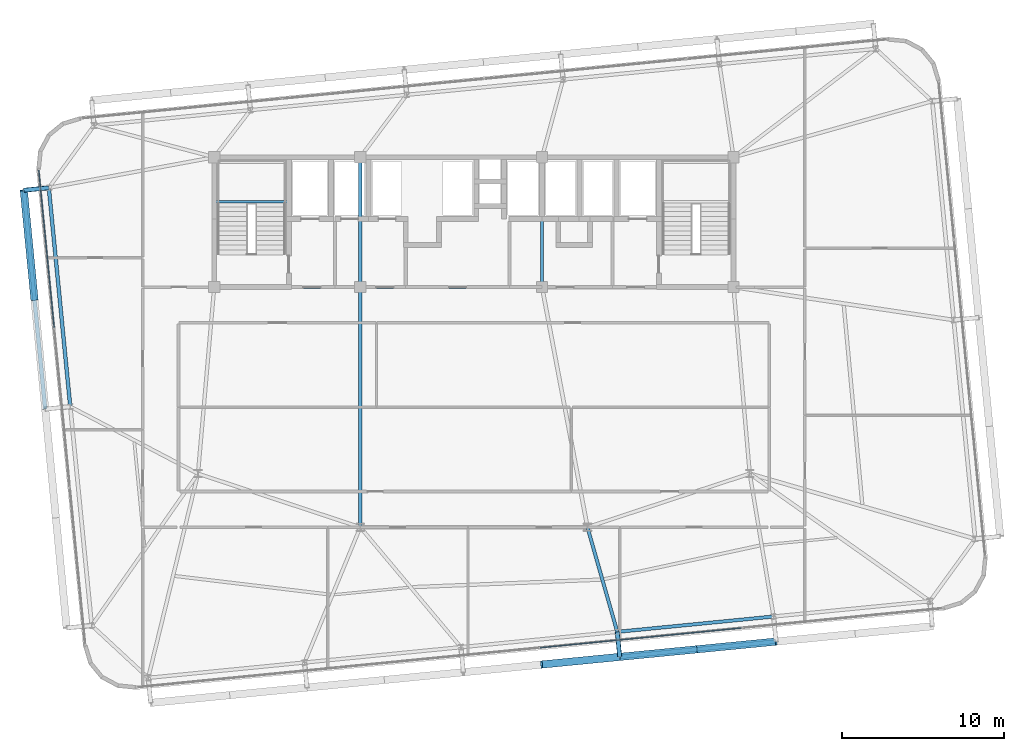
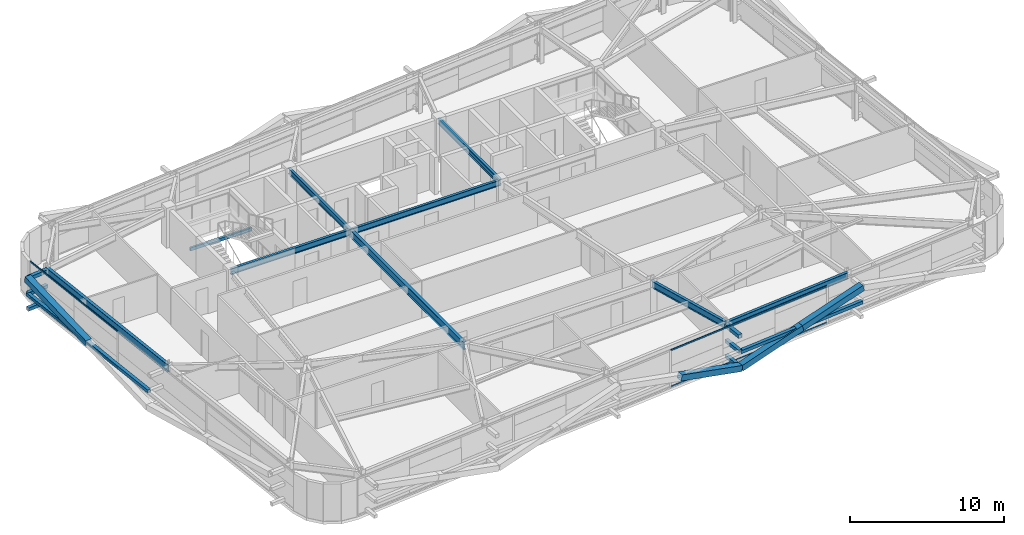
# One storey, part 14 of 47: 16 members, 9 beams, 2 elements without a shape of their own.
"""IFC4 building model written with IfcOpenShell, lengths in metres."""

from ifc_helpers import new_model, si_unit, direction, frame, origin, origin_2d, place, context, subcontext, project, spatial, hollow_rectangle, i_section, extrude, source, transform, mapped, material, layer, layer_set, material_profile, profile_set, type_object, element, aggregate, save


model = new_model("IFC4")

# Units and contexts
model_context = context("Model", 3, precision=1e-05, world=origin(), true_north=direction((0.0, 1.0)))
body_context = subcontext(model_context, "Body", "Model", "MODEL_VIEW")
ifc_project = project(units=[si_unit("LENGTHUNIT", "METRE"), si_unit("AREAUNIT", "SQUARE_METRE"), si_unit("VOLUMEUNIT", "CUBIC_METRE"), si_unit("PLANEANGLEUNIT", "RADIAN"), si_unit("MASSUNIT", "GRAM", prefix="KILO")], contexts=[model_context])

# Site, building, storey
site_placement = place(None, origin())
site = spatial("IfcSite", under=ifc_project, at=site_placement, CompositionType="ELEMENT")
building_placement = place(site_placement, origin())
building = spatial("IfcBuilding", under=site, at=building_placement, Name="Taldren Reach Tower", CompositionType="ELEMENT")
storey_placement = place(building_placement, frame((0.0, 0.0, 90.300048828125)))
storey = spatial("IfcBuildingStorey", under=building, at=storey_placement, Name="L27", CompositionType="ELEMENT", Elevation=90.300048828125)

# Beams
ifc_material_1 = material(Name="Steel Gr 350 (350PLUS)", Category="steel")
ifc_material_profile_1 = material_profile(ifc_material_1, i_section(OverallWidth=0.19091796875, OverallDepth=0.4599609375, WebThickness=0.010009765625, FlangeThickness=0.01611328125, at=origin_2d()), Name="460UB82.1")
ifc_profile_set_1 = profile_set([ifc_material_profile_1], Name="Steel Gr 350 (350PLUS)")
beam_type_1 = type_object("IfcBeamType", Name="BM-UB460A", PredefinedType="BEAM", material=ifc_profile_set_1)
shared_shape_1 = source(origin(), body_context, "Body", "SweptSolid", [
    extrude(i_section(OverallWidth=0.19091796875, OverallDepth=0.4599609375, WebThickness=0.010009765625, FlangeThickness=0.01611328125, at=origin_2d()), origin(), (0.0, 0.0, 1.0), 9.0),
])
beam_1_placement = place(storey_placement, frame((19.0, 24.0, 2.699951171875), z_axis=(1.0, 0.0, 0.0), x_axis=(0.0, 1.0, 0.0)))
element("IfcBeam", 1, at=beam_1_placement, inside=storey, type_object=beam_type_1, Name="Core-spine girder L27-SP01", PredefinedType="BEAM", context=body_context, shape_type="MappedRepresentation", body=[
    mapped(shared_shape_1, transform((0.0, 0.0, 0.0), scale=1.0)),
])
shared_shape_2 = source(origin(), body_context, "Body", "SweptSolid", [
    extrude(i_section(OverallWidth=0.19091796875, OverallDepth=0.4599609375, WebThickness=0.010009765625, FlangeThickness=0.01611328125, at=origin_2d()), origin(), (0.0, 0.0, 1.0), 11.199951171875),
])
beam_2_placement = place(storey_placement, frame((28.0, 24.0, 2.699951171875), z_axis=(1.0, 0.0, 0.0), x_axis=(0.0, 1.0, 0.0)))
element("IfcBeam", 2, at=beam_2_placement, inside=storey, type_object=beam_type_1, Name="Core-spine girder L27-SP02", PredefinedType="BEAM", context=body_context, shape_type="MappedRepresentation", body=[
    mapped(shared_shape_2, transform((0.0, 0.0, 0.0), scale=1.0)),
])
shared_shape_3 = source(origin(), body_context, "Body", "SweptSolid", [
    extrude(i_section(OverallWidth=0.19091796875, OverallDepth=0.4599609375, WebThickness=0.010009765625, FlangeThickness=0.01611328125, at=origin_2d()), origin(), (0.0, 0.0, 1.0), 8.0),
])
for number, where, z_axis, x_axis, name in (
    (3, (28.0, 24.0, 2.699951171875), (0.0, 1.0, 0.0), (-1.0, 0.0, 0.0), "Core-spine girder L27-SP07"),
    (4, (39.199951171875, 24.0, 2.699951171875), (0.0, 1.0, 0.0), (-1.0, 0.0, 0.0), "Core-spine girder L27-SP08"),
):
    element("IfcBeam", number, at=place(storey_placement, frame(where, z_axis=z_axis, x_axis=x_axis)), inside=storey, type_object=beam_type_1, Name=name, PredefinedType="BEAM", context=body_context, shape_type="MappedRepresentation", body=[
        mapped(shared_shape_3, transform((0.0, 0.0, 0.0), scale=1.0)),
    ])
ifc_material_profile_2 = material_profile(ifc_material_1, i_section(OverallWidth=0.22802734375, OverallDepth=0.60205078125, WebThickness=0.010498046875, FlangeThickness=0.014892578125, at=origin_2d()), Name="610UB101")
ifc_profile_set_2 = profile_set([ifc_material_profile_2], Name="Steel Gr 350 (350PLUS)")
beam_type_2 = type_object("IfcBeamType", Name="BM-UB610B", PredefinedType="BEAM", material=ifc_profile_set_2)
shared_shape_4 = source(origin(), body_context, "Body", "SweptSolid", [
    extrude(i_section(OverallWidth=0.22802734375, OverallDepth=0.60205078125, WebThickness=0.010498046875, FlangeThickness=0.014892578125, at=origin_2d()), origin(), (0.0, 0.0, 1.0), 14.800048828125),
])
beam_3_placement = place(storey_placement, frame((28.0, 24.0, 2.62890625), z_axis=(0.0, -1.0, 0.0), x_axis=(1.0, 0.0, 0.0)))
element("IfcBeam", 5, at=beam_3_placement, inside=storey, type_object=beam_type_2, Name="Core-spine girder L27-SP14", PredefinedType="BEAM", context=body_context, shape_type="MappedRepresentation", body=[
    mapped(shared_shape_4, transform((0.0, 0.0, 0.0), scale=1.0)),
])

# Members
ifc_material_2 = material(Name="Steel Gr 450 (C450L0)", Category="steel")
ifc_material_profile_3 = material_profile(ifc_material_2, hollow_rectangle(XDim=0.27490234375, YDim=0.27490234375, WallThickness=0.00927734375, at=origin_2d()), Name="275x275x9.3SHS")
ifc_profile_set_3 = profile_set([ifc_material_profile_3], Name="Steel Gr 450 (C450L0)")
member_type_1 = type_object("IfcMemberType", Name="MB-TIE273", PredefinedType="STRUT", material=ifc_profile_set_3)
shared_shape_5 = source(origin(), body_context, "Body", "SweptSolid", [
    extrude(hollow_rectangle(XDim=0.27490234375, YDim=0.27490234375, WallThickness=0.00927734375, at=origin_2d()), origin(), (0.0, 0.0, 1.0), 1.5498046875),
])
member_1_placement = place(storey_placement, frame((43.83544921875, 2.75390625, 2.64990234375), z_axis=(0.097663201064, -0.995219523099, 0.0), x_axis=(0.995219523099, 0.097663201064, 0.0)))
element("IfcMember", 6, at=member_1_placement, inside=storey, type_object=member_type_1, Name="Exoskeleton diaphragm tie strut B2-S4 L27", PredefinedType="STRUT", context=body_context, shape_type="MappedRepresentation", body=[
    mapped(shared_shape_5, transform((0.0, 0.0, 0.0), scale=1.0)),
])
ifc_material_3 = material(Name="Steel Gr 350 (C350L0)", Category="steel")
ifc_material_profile_4 = material_profile(ifc_material_3, hollow_rectangle(XDim=0.25, YDim=0.25, WallThickness=0.010009765625, at=origin_2d()), Name="250x250x10.0SHS")
ifc_profile_set_4 = profile_set([ifc_material_profile_4], Name="Steel Gr 350 (C350L0)")
member_type_2 = type_object("IfcMemberType", Name="MB-POST250", PredefinedType="POST", material=ifc_profile_set_4)
shared_shape_6 = source(origin(), body_context, "Body", "SweptSolid", [
    extrude(hollow_rectangle(XDim=0.25, YDim=0.25, WallThickness=0.010009765625, at=origin_2d()), origin(), (0.0, 0.0, 1.0), 1.5498046875),
])
for number, where, z_axis, x_axis, name in (
    (7, (43.83544921875, 2.75390625, 0.219970703125), (0.097663201064, -0.995219523099, 0.0), (0.995219523099, 0.097663201064, 0.0), "Exoskeleton base diaphragm tie strut B2-S4 L27"),
    (8, (43.83544921875, 2.75390625, 1.43505859375), (0.097663201064, -0.995219523099, 0.0), (0.995219523099, 0.097663201064, 0.0), "Exoskeleton mid-tier diaphragm tie B2-S4 L27"),
):
    element("IfcMember", number, at=place(storey_placement, frame(where, z_axis=z_axis, x_axis=x_axis)), inside=storey, type_object=member_type_2, Name=name, PredefinedType="POST", context=body_context, shape_type="MappedRepresentation", body=[
        mapped(shared_shape_6, transform((0.0, 0.0, 0.0), scale=1.0)),
    ])

# Beams
ifc_material_profile_5 = material_profile(ifc_material_1, i_section(OverallWidth=0.208984375, OverallDepth=0.528076171875, WebThickness=0.009521484375, FlangeThickness=0.01318359375, at=origin_2d()), Name="530UB82.0")
ifc_profile_set_5 = profile_set([ifc_material_profile_5], Name="Steel Gr 350 (350PLUS)")
beam_type_3 = type_object("IfcBeamType", Name="SP-UB530B", PredefinedType="SPANDREL", material=ifc_profile_set_5)
shared_shape_7 = source(origin(), body_context, "Body", "SweptSolid", [
    extrude(i_section(OverallWidth=0.208984375, OverallDepth=0.528076171875, WebThickness=0.009521484375, FlangeThickness=0.01318359375, at=origin_2d()), origin(), (0.0, 0.0, 1.0), 9.68017578125),
])
beam_4_placement = place(storey_placement, frame((43.83544921875, 2.75390625, 2.666015625), z_axis=(0.995227852805, 0.097578281404, 0.0), x_axis=(-0.097578281404, 0.995227852805, 0.0)))
element("IfcBeam", 9, at=beam_4_placement, inside=storey, type_object=beam_type_3, Name="Perimeter spandrel B2 S4-S5 L27", PredefinedType="SPANDREL", context=body_context, shape_type="MappedRepresentation", body=[
    mapped(shared_shape_7, transform((0.0, 0.0, 0.0), scale=1.0)),
])
shared_shape_8 = source(origin(), body_context, "Body", "SweptSolid", [
    extrude(i_section(OverallWidth=0.22802734375, OverallDepth=0.60205078125, WebThickness=0.010498046875, FlangeThickness=0.014892578125, at=origin_2d()), origin(), (0.0, 0.0, 1.0), 13.550048828125),
])
beam_5_placement = place(storey_placement, frame((8.808349609375, 30.116455078125, 2.62890625), z_axis=(0.097584021339, -0.995227290009, 0.0), x_axis=(0.995227290009, 0.097584021339, 0.0)))
element("IfcBeam", 10, at=beam_5_placement, inside=storey, type_object=beam_type_2, Name="Perimeter gable girder B2 W3-W2 L27", PredefinedType="BEAM", context=body_context, shape_type="MappedRepresentation", body=[
    mapped(shared_shape_8, transform((0.0, 0.0, 0.0), scale=1.0)),
])
ifc_material_profile_6 = material_profile(ifc_material_1, i_section(OverallWidth=0.208984375, OverallDepth=0.532958984375, WebThickness=0.01025390625, FlangeThickness=0.015625, at=origin_2d()), Name="530UB92.4")
ifc_profile_set_6 = profile_set([ifc_material_profile_6], Name="Steel Gr 350 (350PLUS)")
beam_type_4 = type_object("IfcBeamType", Name="BM-UB530A", PredefinedType="BEAM", material=ifc_profile_set_6)
shared_shape_9 = source(origin(), body_context, "Body", "SweptSolid", [
    extrude(i_section(OverallWidth=0.208984375, OverallDepth=0.532958984375, WebThickness=0.01025390625, FlangeThickness=0.015625, at=origin_2d()), origin(), (0.0, 0.0, 1.0), 6.7021484375),
])
beam_6_placement = place(storey_placement, frame((42.0, 9.199951171875, 2.663330078125), z_axis=(0.273855026091, -0.961770983491, 0.0), x_axis=(0.961770983491, 0.273855026091, 0.0)))
element("IfcBeam", 11, at=beam_6_placement, inside=storey, type_object=beam_type_4, Name="Primary floor girder B2-S4 L27", PredefinedType="BEAM", context=body_context, shape_type="MappedRepresentation", body=[
    mapped(shared_shape_9, transform((0.0, 0.0, 0.0), scale=1.0)),
])

# Members
shared_shape_10 = source(origin(), body_context, "Body", "SweptSolid", [
    extrude(hollow_rectangle(XDim=0.27490234375, YDim=0.27490234375, WallThickness=0.00927734375, at=origin_2d()), origin(), (0.0, 0.0, 1.0), 1.550048828125),
])
member_2_placement = place(storey_placement, frame((8.808349609375, 30.116455078125, 2.64990234375), z_axis=(-0.9952210252, -0.097647892962, 0.0), x_axis=(0.097647892962, -0.9952210252, 0.0)))
element("IfcMember", 12, at=member_2_placement, inside=storey, type_object=member_type_1, Name="Exoskeleton diaphragm tie strut B2-W3 L27", PredefinedType="STRUT", context=body_context, shape_type="MappedRepresentation", body=[
    mapped(shared_shape_10, transform((0.0, 0.0, 0.0), scale=1.0)),
])
ifc_material_profile_7 = material_profile(ifc_material_2, hollow_rectangle(XDim=0.4599609375, YDim=0.4599609375, WallThickness=0.01611328125, at=origin_2d()), Name="460x460x16.0SHS")
ifc_profile_set_7 = profile_set([ifc_material_profile_7], Name="Steel Gr 450 (C450L0)")
member_type_3 = type_object("IfcMemberType", Name="MB-EXO457", PredefinedType="BRACE", material=ifc_profile_set_7)
shared_shape_11 = source(origin(), body_context, "Body", "SweptSolid", [
    extrude(hollow_rectangle(XDim=0.4599609375, YDim=0.4599609375, WallThickness=0.01611328125, at=origin_2d()), origin(), (0.0, 0.0, 1.0), 4.990234375),
])
for number, where, z_axis, x_axis, name in (
    (13, (43.98681640625, 1.21142578125, 0.219970703125), (-0.965271056716, -0.094667992638, 0.243494883389), (0.097605711627, -0.995225162995, 0.0), "Exoskeleton Diagrid Brace B2-S3 L27"),
    (14, (43.98681640625, 1.21142578125, 0.219970703125), (0.965275526283, 0.094619506732, 0.243496010862), (-0.097555749586, 0.995230061706, 0.0), "Exoskeleton Diagrid Brace B2-S4 L27"),
    (15, (48.8037109375, 1.68359375, 1.43505859375), (0.965282554799, 0.094669120301, 0.243448859234), (-0.097605711627, 0.995225162995, 0.0), "Exoskeleton Diagrid Brace B2-S4 L27"),
):
    element("IfcMember", number, at=place(storey_placement, frame(where, z_axis=z_axis, x_axis=x_axis)), inside=storey, type_object=member_type_3, Name=name, PredefinedType="BRACE", context=body_context, shape_type="MappedRepresentation", body=[
        mapped(shared_shape_11, transform((0.0, 0.0, 0.0), scale=1.0)),
    ])
shared_shape_12 = source(origin(), body_context, "Body", "SweptSolid", [
    extrude(hollow_rectangle(XDim=0.25, YDim=0.25, WallThickness=0.010009765625, at=origin_2d()), origin(), (0.0, 0.0, 1.0), 9.679931640625),
])
member_3_placement = place(storey_placement, frame((43.98681640625, 1.21142578125, 1.43505859375), z_axis=(0.995227612658, 0.097580730699, 0.0), x_axis=(-0.097580730699, 0.995227612658, 0.0)))
element("IfcMember", 16, at=member_3_placement, inside=storey, type_object=member_type_2, Name="Exoskeleton mid-height ring chord B2-S4 L27", PredefinedType="POST", context=body_context, shape_type="MappedRepresentation", body=[
    mapped(shared_shape_12, transform((0.0, 0.0, 0.0), scale=1.0)),
])
shared_shape_13 = source(origin(), body_context, "Body", "SweptSolid", [
    extrude(hollow_rectangle(XDim=0.25, YDim=0.25, WallThickness=0.010009765625, at=origin_2d()), origin(), (0.0, 0.0, 1.0), 1.550048828125),
])
for number, where, z_axis, x_axis, name in (
    (17, (8.808349609375, 30.116455078125, 0.219970703125), (-0.9952210252, -0.097647892962, 0.0), (0.097647892962, -0.9952210252, 0.0), "Exoskeleton base diaphragm tie strut B2-W3 L27"),
    (18, (8.808349609375, 30.116455078125, 1.43505859375), (-0.9952210252, -0.097647892962, 0.0), (0.097647892962, -0.9952210252, 0.0), "Exoskeleton mid-tier diaphragm tie B2-W3 L27"),
):
    element("IfcMember", number, at=place(storey_placement, frame(where, z_axis=z_axis, x_axis=x_axis)), inside=storey, type_object=member_type_2, Name=name, PredefinedType="POST", context=body_context, shape_type="MappedRepresentation", body=[
        mapped(shared_shape_13, transform((0.0, 0.0, 0.0), scale=1.0)),
    ])
shared_shape_14 = source(origin(), body_context, "Body", "SweptSolid", [
    extrude(hollow_rectangle(XDim=0.4599609375, YDim=0.4599609375, WallThickness=0.01611328125, at=origin_2d()), origin(), (0.0, 0.0, 1.0), 6.883056640625),
])
member_4_placement = place(storey_placement, frame((7.9267578125, 23.222412109375, 1.43505859375), z_axis=(-0.096052059581, 0.979603316657, 0.176497432967), x_axis=(-0.995227290009, -0.097584021339, 0.0)))
element("IfcMember", 19, at=member_4_placement, inside=storey, type_object=member_type_3, Name="Exoskeleton Diagrid Brace B2-W2 L27", PredefinedType="BRACE", context=body_context, shape_type="MappedRepresentation", body=[
    mapped(shared_shape_14, transform((0.0, 0.0, 0.0), scale=1.0)),
])
shared_shape_15 = source(origin(), body_context, "Body", "SweptSolid", [
    extrude(hollow_rectangle(XDim=0.25, YDim=0.25, WallThickness=0.010009765625, at=origin_2d()), origin(), (0.0, 0.0, 1.0), 13.550048828125),
])
member_5_placement = place(storey_placement, frame((8.587890625, 16.479736328125, 1.43505859375), z_axis=(-0.097584021339, 0.995227290009, 0.0), x_axis=(-0.995227290009, -0.097584021339, 0.0)))
element("IfcMember", 20, at=member_5_placement, inside=storey, type_object=member_type_2, Name="Exoskeleton mid-height ring chord B2-W2 L27", PredefinedType="POST", context=body_context, shape_type="MappedRepresentation", body=[
    mapped(shared_shape_15, transform((0.0, 0.0, 0.0), scale=1.0)),
])

# Curtain wall, members
ifc_material_4 = material(Name="Aluminium and Low-E Glass Unitised System", Category="aluminium")
ifc_layer = layer(ifc_material_4, 0.159912109375)
ifc_layer_set = layer_set([ifc_layer], Name="Aluminium and Low-E Glass Unitised System")
curtain_wall_type = type_object("IfcCurtainWallType", Name="CW-SYS-3", PredefinedType="NOTDEFINED", material=ifc_layer_set)
curtain_wall_1_placement = place(storey_placement, origin())
curtain_wall_1 = element("IfcCurtainWall", 21, at=curtain_wall_1_placement, inside=storey, type_object=curtain_wall_type, Name="Unitised curtain wall CW-L27-S", PredefinedType="NOTDEFINED")
ifc_material_5 = material(Name="Anodised Aluminium 6063-T6", Category="aluminium")
ifc_material_profile_8 = material_profile(ifc_material_5, hollow_rectangle(XDim=0.054931640625, YDim=0.1201171875, WallThickness=0.0029296875, at=origin_2d()), Name="ALU-120x55x3RHS")
ifc_profile_set_8 = profile_set([ifc_material_profile_8], Name="Anodised Aluminium 6063-T6")
member_type_4 = type_object("IfcMemberType", Name="CW-TRN-135", PredefinedType="USERDEFINED", material=ifc_profile_set_8)
shared_shape_16 = source(origin(), body_context, "Body", "SweptSolid", [
    extrude(hollow_rectangle(XDim=0.054931640625, YDim=0.1201171875, WallThickness=0.0029296875, at=origin_2d()), origin(), (0.0, 0.0, 1.0), 12.434814453125),
])
member_6_placement = place(storey_placement, frame((39.100830078125, 1.777099609375, 0.02734375), z_axis=(0.995225870556, 0.097598496795, 0.0), x_axis=(-0.097598496795, 0.995225870556, 0.0)))
member_6 = element("IfcMember", 22, at=member_6_placement, type_object=member_type_4, Name="CW-3 transom 3.1", ObjectType="TRANSOM", PredefinedType="USERDEFINED", context=body_context, shape_type="MappedRepresentation", body=[
    mapped(shared_shape_16, transform((0.0, 0.0, 0.0), scale=1.0)),
])
member_7_placement = place(storey_placement, frame((39.100830078125, 1.777099609375, 2.90234375), z_axis=(0.995225870556, 0.097598496795, 0.0), x_axis=(-0.097598496795, 0.995225870556, 0.0)))
member_7 = element("IfcMember", 23, at=member_7_placement, type_object=member_type_4, Name="CW-3 transom 3.2", ObjectType="TRANSOM", PredefinedType="USERDEFINED", context=body_context, shape_type="MappedRepresentation", body=[
    mapped(shared_shape_16, transform((0.0, 0.0, 0.0), scale=1.0)),
])
aggregate(curtain_wall_1, [member_6, member_7])

curtain_wall_2_placement = place(storey_placement, origin())
curtain_wall_2 = element("IfcCurtainWall", 24, at=curtain_wall_2_placement, inside=storey, type_object=curtain_wall_type, Name="Unitised curtain wall CW-L27-W", PredefinedType="NOTDEFINED")
shared_shape_17 = source(origin(), body_context, "Body", "SweptSolid", [
    extrude(hollow_rectangle(XDim=0.054931640625, YDim=0.1201171875, WallThickness=0.0029296875, at=origin_2d()), origin(), (0.0, 0.0, 1.0), 9.73583984375),
])
member_8_placement = place(storey_placement, frame((8.18994140625, 31.1962890625, 0.02734375), z_axis=(0.097571911043, -0.995228477374, 0.0), x_axis=(0.995228477374, 0.097571911043, 0.0)))
member_8 = element("IfcMember", 25, at=member_8_placement, type_object=member_type_4, Name="CW-3 transom 1.1", ObjectType="TRANSOM", PredefinedType="USERDEFINED", context=body_context, shape_type="MappedRepresentation", body=[
    mapped(shared_shape_17, transform((0.0, 0.0, 0.0), scale=1.0)),
])
member_9_placement = place(storey_placement, frame((8.18994140625, 31.1962890625, 2.90234375), z_axis=(0.097571911043, -0.995228477374, 0.0), x_axis=(0.995228477374, 0.097571911043, 0.0)))
member_9 = element("IfcMember", 26, at=member_9_placement, type_object=member_type_4, Name="CW-3 transom 1.2", ObjectType="TRANSOM", PredefinedType="USERDEFINED", context=body_context, shape_type="MappedRepresentation", body=[
    mapped(shared_shape_17, transform((0.0, 0.0, 0.0), scale=1.0)),
])
aggregate(curtain_wall_2, [member_8, member_9])

# Beam
ifc_material_profile_9 = material_profile(ifc_material_3, hollow_rectangle(XDim=0.14990234375, YDim=0.25, WallThickness=0.009033203125, at=origin_2d()), Name="250x150x9.0RHS")
ifc_profile_set_9 = profile_set([ifc_material_profile_9], Name="Steel Gr 350 (C350L0)")
beam_type_5 = type_object("IfcBeamType", Name="LN-RHS250", PredefinedType="LINTEL", material=ifc_profile_set_9)
shared_shape_18 = source(origin(), body_context, "Body", "SweptSolid", [
    extrude(hollow_rectangle(XDim=0.14990234375, YDim=0.25, WallThickness=0.009033203125, at=origin_2d()), origin(), (0.0, 0.0, 1.0), 4.60009765625),
])
beam_7_placement = place(storey_placement, frame((19.0, 29.2548828125, 1.27001953125), z_axis=(1.0, 0.0, 0.0), x_axis=(0.0, 1.0, 0.0)))
element("IfcBeam", 27, at=beam_7_placement, inside=storey, type_object=beam_type_5, Name="Stair half-landing support beam ST1-L27-1", PredefinedType="LINTEL", context=body_context, shape_type="MappedRepresentation", body=[
    mapped(shared_shape_18, transform((0.0, 0.0, 0.0), scale=1.0)),
])

save(model, "model.ifc")
